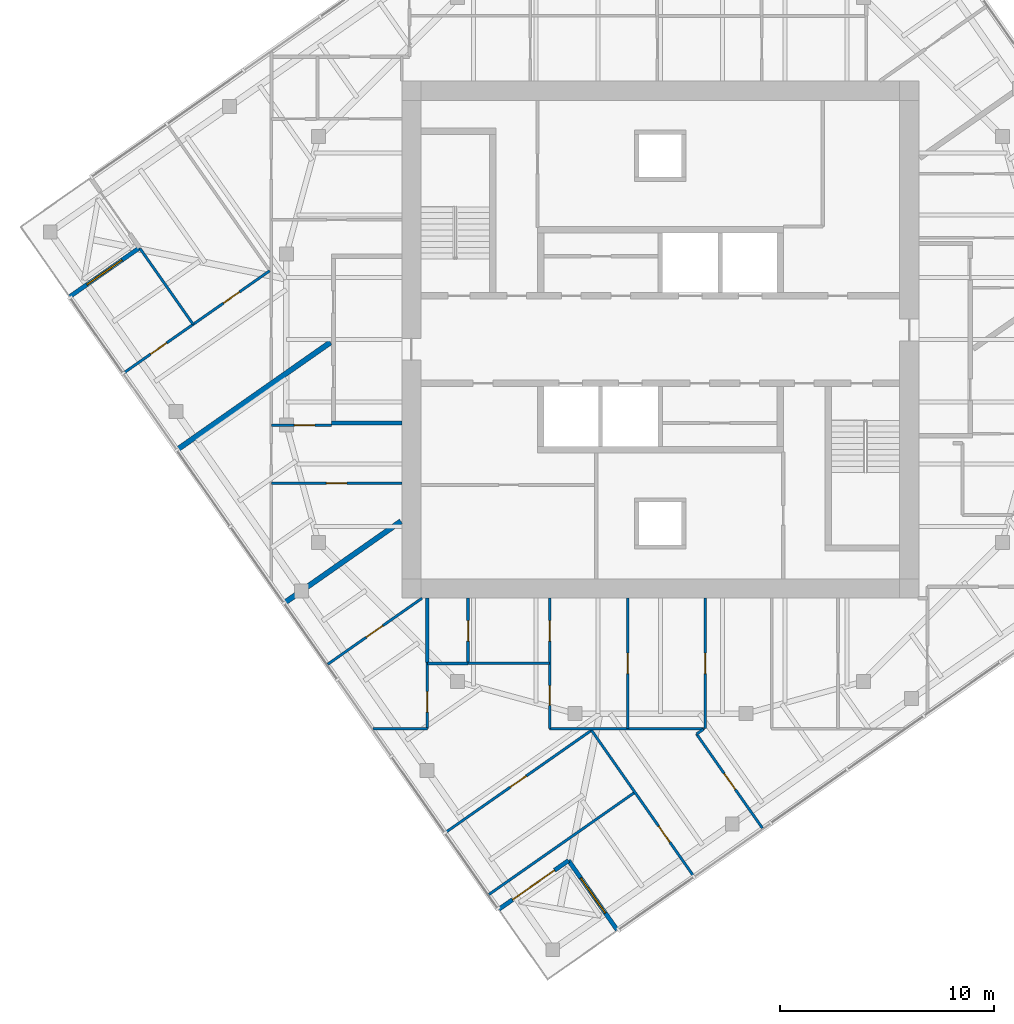
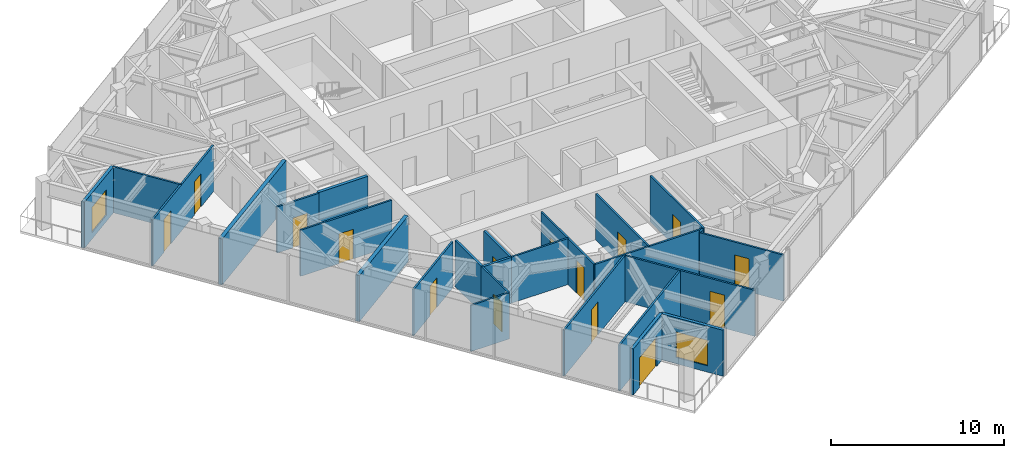
# One storey, part 7 of 13: 26 walls, 15 doors, 2 windows, 17 openings.
"""IFC4 building model written with IfcOpenShell, lengths in metres."""

from ifc_helpers import new_model, si_unit, direction, frame, frame_2d, origin, place, context, subcontext, project, spatial, rectangle, extrude, material, layer, layer_set, type_object, element, fill, save


model = new_model("IFC4")

# Units and contexts
model_context = context("Model", 3, precision=1e-05, world=origin(), true_north=direction((0.0, 1.0)))
body_context = subcontext(model_context, "Body", "Model", "MODEL_VIEW")
ifc_project = project(units=[si_unit("LENGTHUNIT", "METRE"), si_unit("AREAUNIT", "SQUARE_METRE"), si_unit("VOLUMEUNIT", "CUBIC_METRE"), si_unit("PLANEANGLEUNIT", "RADIAN"), si_unit("MASSUNIT", "GRAM", prefix="KILO")], contexts=[model_context])

# Site, building, storey
site_placement = place(None, origin())
site = spatial("IfcSite", under=ifc_project, at=site_placement, CompositionType="ELEMENT")
building_placement = place(site_placement, origin())
building = spatial("IfcBuilding", under=site, at=building_placement, Name="Torsade Residences", CompositionType="ELEMENT")
storey_placement = place(building_placement, frame((0.0, 0.0, 260.800048828125)))
storey = spatial("IfcBuildingStorey", under=building, at=storey_placement, Name="L72", CompositionType="ELEMENT", Elevation=260.800048828125)

# Wall
ifc_material_1 = material(Name="Plasterboard on steel stud", Category="steel")
ifc_layer_1 = layer(ifc_material_1, 0.199951171875)
ifc_layer_set_1 = layer_set([ifc_layer_1], Name="Plasterboard on steel stud")
wall_type_1 = type_object("IfcWallType", Name="CORRIDOR WALL 200", PredefinedType="PARTITIONING", material=ifc_layer_set_1)
wall_1_placement = place(storey_placement, frame((27.89990234375, 26.10009765625, 0.0), z_axis=(0.0, 0.0, 1.0), x_axis=(-1.0, 0.0, 0.0)))
element("IfcWall", 1, at=wall_1_placement, inside=storey, type_object=wall_type_1, Name="Corridor wall L72", PredefinedType="PARTITIONING", context=body_context, shape_type="SweptSolid", body=[
    extrude(rectangle(XDim=3.2998046875, YDim=0.199951171875, at=frame_2d((1.64990234375, 0.0))), origin(), (0.0, 0.0, 1.0), 3.25),
])

# Wall, opening, door
ifc_material_2 = material(Name="Plasterboard on steel stud", Category="steel")
ifc_layer_2 = layer(ifc_material_2, 0.1201171875)
ifc_layer_set_2 = layer_set([ifc_layer_2], Name="Plasterboard on steel stud")
wall_type_2 = type_object("IfcWallType", Name="PARTITION 120", PredefinedType="PARTITIONING", material=ifc_layer_set_2)
wall_2_placement = place(storey_placement, frame((24.60009765625, 26.0, 0.0), z_axis=(0.0, 0.0, 1.0), x_axis=(-1.0, 0.0, 0.0)))
wall_2 = element("IfcWall", 2, at=wall_2_placement, inside=storey, type_object=wall_type_2, Name="Partition L72", PredefinedType="PARTITIONING", context=body_context, shape_type="SweptSolid", body=[
    extrude(rectangle(XDim=2.800048828125, YDim=0.1201171875, at=frame_2d((1.39990234375, 0.0))), origin(), (0.0, 0.0, 1.0), 3.25),
])
opening_1_placement = place(wall_2_placement, frame((0.77001953125, 0.0, 0.0)))
opening_1 = element("IfcOpeningElement", 3, at=opening_1_placement, cuts=wall_2, Name="Opening D05", PredefinedType="OPENING", context=body_context, shape_type="SweptSolid", body=[
    extrude(rectangle(XDim=0.9599609375, YDim=2.10009765625, at=frame_2d((0.47998046875, 1.050048828125))), frame((0.0, 0.070068359375, 0.0), z_axis=(0.0, -1.0, 0.0), x_axis=(1.0, 0.0, 0.0)), (0.0, 0.0, 1.0), 0.14013671875),
])
ifc_material_3 = material(Name="Hollow-core timber door in a steel cavity frame", Category="steel")
door_type_1 = type_object("IfcDoorType", Name="BATHROOM CAVITY SLIDING DOOR 960", OperationType="SLIDING_TO_LEFT", PredefinedType="DOOR", material=ifc_material_3)
door_1_placement = place(opening_1_placement, origin())
door_1 = element("IfcDoor", 4, at=door_1_placement, inside=storey, type_object=door_type_1, Name="Door Kitchen and dining to Bathroom", OperationType="SLIDING_TO_LEFT", OverallHeight=2.10009765625, OverallWidth=0.9599609375, PredefinedType="DOOR", context=body_context, shape_type="SweptSolid", body=[
    extrude(rectangle(XDim=0.9599609375, YDim=2.10009765625, at=frame_2d((0.47998046875, 1.050048828125))), frame((0.0, 0.02490234375, 0.0), z_axis=(0.0, -1.0, 0.0), x_axis=(1.0, 0.0, 0.0)), (0.0, 0.0, 1.0), 0.050048828125),
])
fill(opening_1, door_1)

wall_3_placement = place(storey_placement, frame((27.89990234375, 23.28564453125, 0.0), z_axis=(0.0, 0.0, 1.0), x_axis=(-1.0, 0.0, 0.0)))
wall_3 = element("IfcWall", 5, at=wall_3_placement, inside=storey, type_object=wall_type_2, Name="Partition L72", PredefinedType="PARTITIONING", context=body_context, shape_type="SweptSolid", body=[
    extrude(rectangle(XDim=6.099853515625, YDim=0.1201171875, at=frame_2d((3.0498046875, 0.0))), origin(), (0.0, 0.0, 1.0), 3.25),
])
opening_2_placement = place(wall_3_placement, frame((2.570068359375, 0.0, 0.0)))
opening_2 = element("IfcOpeningElement", 6, at=opening_2_placement, cuts=wall_3, Name="Opening D05", PredefinedType="OPENING", context=body_context, shape_type="SweptSolid", body=[
    extrude(rectangle(XDim=0.9599609375, YDim=2.10009765625, at=frame_2d((0.47998046875, 1.050048828125))), frame((0.0, 0.070068359375, 0.0), z_axis=(0.0, -1.0, 0.0), x_axis=(1.0, 0.0, 0.0)), (0.0, 0.0, 1.0), 0.14013671875),
])
door_2_placement = place(opening_2_placement, origin())
door_2 = element("IfcDoor", 7, at=door_2_placement, inside=storey, type_object=door_type_1, Name="Door Bathroom to Ensuite", OperationType="SLIDING_TO_LEFT", OverallHeight=2.10009765625, OverallWidth=0.9599609375, PredefinedType="DOOR", context=body_context, shape_type="SweptSolid", body=[
    extrude(rectangle(XDim=0.9599609375, YDim=2.10009765625, at=frame_2d((0.47998046875, 1.050048828125))), frame((0.0, 0.02490234375, 0.0), z_axis=(0.0, -1.0, 0.0), x_axis=(1.0, 0.0, 0.0)), (0.0, 0.0, 1.0), 0.050048828125),
])
fill(opening_2, door_2)

wall_4_placement = place(storey_placement, frame((24.43701171875, 14.811767578125, 0.0), z_axis=(0.0, 0.0, 1.0), x_axis=(0.819157353031, 0.573568854608, 0.0)))
wall_4 = element("IfcWall", 8, at=wall_4_placement, inside=storey, type_object=wall_type_2, Name="Partition L72", PredefinedType="PARTITIONING", context=body_context, shape_type="SweptSolid", body=[
    extrude(rectangle(XDim=5.384033203125, YDim=0.1201171875, at=frame_2d((2.69189453125, 0.0))), origin(), (0.0, 0.0, 1.0), 3.25),
])
opening_3_placement = place(wall_4_placement, frame((2.19189453125, 0.0, 0.0)))
opening_3 = element("IfcOpeningElement", 9, at=opening_3_placement, cuts=wall_4, Name="Opening D05", PredefinedType="OPENING", context=body_context, shape_type="SweptSolid", body=[
    extrude(rectangle(XDim=0.9599609375, YDim=2.10009765625, at=frame_2d((0.47998046875, 1.050048828125))), frame((0.0, 0.070068359375, 0.0), z_axis=(0.0, -1.0, 0.0), x_axis=(1.0, 0.0, 0.0)), (0.0, 0.0, 1.0), 0.14013671875),
])
door_3_placement = place(opening_3_placement, origin())
door_3 = element("IfcDoor", 10, at=door_3_placement, inside=storey, type_object=door_type_1, Name="Door Bathroom to Dressing room", OperationType="SLIDING_TO_LEFT", OverallHeight=2.10009765625, OverallWidth=0.9599609375, PredefinedType="DOOR", context=body_context, shape_type="SweptSolid", body=[
    extrude(rectangle(XDim=0.9599609375, YDim=2.10009765625, at=frame_2d((0.47998046875, 1.050048828125))), frame((0.0, 0.02490234375, 0.0), z_axis=(0.0, -1.0, 0.0), x_axis=(1.0, 0.0, 0.0)), (0.0, 0.0, 1.0), 0.050048828125),
])
fill(opening_3, door_3)

wall_5_placement = place(storey_placement, frame((29.093505859375, 14.89990234375, 0.0), z_axis=(0.0, 0.0, 1.0), x_axis=(0.0, -1.0, 0.0)))
wall_5 = element("IfcWall", 11, at=wall_5_placement, inside=storey, type_object=wall_type_2, Name="Partition L72", PredefinedType="PARTITIONING", context=body_context, shape_type="SweptSolid", body=[
    extrude(rectangle(XDim=3.099853515625, YDim=0.1201171875, at=frame_2d((1.5498046875, 0.0))), origin(), (0.0, 0.0, 1.0), 3.25),
])
opening_4_placement = place(wall_5_placement, frame((1.3701171875, 0.0, 0.0)))
opening_4 = element("IfcOpeningElement", 12, at=opening_4_placement, cuts=wall_5, Name="Opening D05", PredefinedType="OPENING", context=body_context, shape_type="SweptSolid", body=[
    extrude(rectangle(XDim=0.9599609375, YDim=2.10009765625, at=frame_2d((0.47998046875, 1.050048828125))), frame((0.0, 0.070068359375, 0.0), z_axis=(0.0, -1.0, 0.0), x_axis=(1.0, 0.0, 0.0)), (0.0, 0.0, 1.0), 0.14013671875),
])
door_4_placement = place(opening_4_placement, origin())
door_4 = element("IfcDoor", 13, at=door_4_placement, inside=storey, type_object=door_type_1, Name="Door Family room to Bathroom", OperationType="SLIDING_TO_LEFT", OverallHeight=2.10009765625, OverallWidth=0.9599609375, PredefinedType="DOOR", context=body_context, shape_type="SweptSolid", body=[
    extrude(rectangle(XDim=0.9599609375, YDim=2.10009765625, at=frame_2d((0.47998046875, 1.050048828125))), frame((0.0, 0.02490234375, 0.0), z_axis=(0.0, -1.0, 0.0), x_axis=(1.0, 0.0, 0.0)), (0.0, 0.0, 1.0), 0.050048828125),
])
fill(opening_4, door_4)

# Wall
wall_6_placement = place(storey_placement, frame((29.093505859375, 11.800048828125, 0.0), z_axis=(0.0, 0.0, 1.0), x_axis=(-1.0, 0.0, 0.0)))
element("IfcWall", 14, at=wall_6_placement, inside=storey, type_object=wall_type_2, Name="Partition L72", PredefinedType="PARTITIONING", context=body_context, shape_type="SweptSolid", body=[
    extrude(rectangle(XDim=2.547607421875, YDim=0.1201171875, at=frame_2d((1.27392578125, 0.0))), origin(), (0.0, 0.0, 1.0), 3.25),
])

# Wall, openings, doors
wall_7_placement = place(storey_placement, frame((34.8193359375, 17.89990234375, 0.0), z_axis=(0.0, 0.0, 1.0), x_axis=(0.0, -1.0, 0.0)))
wall_7 = element("IfcWall", 15, at=wall_7_placement, inside=storey, type_object=wall_type_2, Name="Partition L72", PredefinedType="PARTITIONING", context=body_context, shape_type="SweptSolid", body=[
    extrude(rectangle(XDim=6.099853515625, YDim=0.1201171875, at=frame_2d((3.0498046875, 0.0))), origin(), (0.0, 0.0, 1.0), 3.25),
])
opening_5_placement = place(wall_7_placement, frame((4.090087890625, 0.0, 0.0)))
opening_5 = element("IfcOpeningElement", 16, at=opening_5_placement, cuts=wall_7, Name="Opening D02", PredefinedType="OPENING", context=body_context, shape_type="SweptSolid", body=[
    extrude(rectangle(XDim=0.919921875, YDim=2.340087890625, at=frame_2d((0.4599609375, 1.169921875))), frame((0.0, 0.070068359375, 0.0), z_axis=(0.0, -1.0, 0.0), x_axis=(1.0, 0.0, 0.0)), (0.0, 0.0, 1.0), 0.14013671875),
])
opening_6_placement = place(wall_7_placement, frame((1.044921875, 0.0, 0.0)))
opening_6 = element("IfcOpeningElement", 17, at=opening_6_placement, cuts=wall_7, Name="Opening D05", PredefinedType="OPENING", context=body_context, shape_type="SweptSolid", body=[
    extrude(rectangle(XDim=0.9599609375, YDim=2.10009765625, at=frame_2d((0.47998046875, 1.050048828125))), frame((0.0, 0.070068359375, 0.0), z_axis=(0.0, -1.0, 0.0), x_axis=(1.0, 0.0, 0.0)), (0.0, 0.0, 1.0), 0.14013671875),
])
door_5_placement = place(opening_6_placement, origin())
door_5 = element("IfcDoor", 18, at=door_5_placement, inside=storey, type_object=door_type_1, Name="Door Dressing room 2 to WC", OperationType="SLIDING_TO_LEFT", OverallHeight=2.10009765625, OverallWidth=0.9599609375, PredefinedType="DOOR", context=body_context, shape_type="SweptSolid", body=[
    extrude(rectangle(XDim=0.9599609375, YDim=2.10009765625, at=frame_2d((0.47998046875, 1.050048828125))), frame((0.0, 0.02490234375, 0.0), z_axis=(0.0, -1.0, 0.0), x_axis=(1.0, 0.0, 0.0)), (0.0, 0.0, 1.0), 0.050048828125),
])
fill(opening_6, door_5)
ifc_material_4 = material(Name="Hollow-core timber door", Category="wood")
door_type_2 = type_object("IfcDoorType", Name="INTERNAL DOOR 920x2340", OperationType="NOTDEFINED", PredefinedType="DOOR", material=ifc_material_4)
door_6_placement = place(opening_5_placement, origin())
door_6 = element("IfcDoor", 19, at=door_6_placement, inside=storey, type_object=door_type_2, Name="Door Dressing room 2 to Family room", OperationType="SINGLE_SWING_RIGHT", OverallHeight=2.340087890625, OverallWidth=0.919921875, PredefinedType="DOOR", context=body_context, shape_type="SweptSolid", body=[
    extrude(rectangle(XDim=0.919921875, YDim=2.340087890625, at=frame_2d((0.4599609375, 1.169921875))), frame((0.0, 0.02490234375, 0.0), z_axis=(0.0, -1.0, 0.0), x_axis=(1.0, 0.0, 0.0)), (0.0, 0.0, 1.0), 0.050048828125),
])
fill(opening_5, door_6)

# Wall
wall_8_placement = place(storey_placement, frame((34.8193359375, 14.85009765625, 0.0), z_axis=(0.0, 0.0, 1.0), x_axis=(-1.0, 0.0, 0.0)))
element("IfcWall", 20, at=wall_8_placement, inside=storey, type_object=wall_type_2, Name="Partition L72", PredefinedType="PARTITIONING", context=body_context, shape_type="SweptSolid", body=[
    extrude(rectangle(XDim=3.817138671875, YDim=0.1201171875, at=frame_2d((1.90869140625, 0.0))), origin(), (0.0, 0.0, 1.0), 3.25),
])

# Wall, opening, door
wall_9_placement = place(storey_placement, frame((38.463623046875, 11.800048828125, 0.0), z_axis=(0.0, 0.0, 1.0), x_axis=(0.0, 1.0, 0.0)))
wall_9 = element("IfcWall", 21, at=wall_9_placement, inside=storey, type_object=wall_type_2, Name="Partition L72", PredefinedType="PARTITIONING", context=body_context, shape_type="SweptSolid", body=[
    extrude(rectangle(XDim=6.099853515625, YDim=0.1201171875, at=frame_2d((3.0498046875, 0.0))), origin(), (0.0, 0.0, 1.0), 3.25),
])
opening_7_placement = place(wall_9_placement, frame((2.570068359375, 0.0, 0.0)))
opening_7 = element("IfcOpeningElement", 22, at=opening_7_placement, cuts=wall_9, Name="Opening D05", PredefinedType="OPENING", context=body_context, shape_type="SweptSolid", body=[
    extrude(rectangle(XDim=0.9599609375, YDim=2.10009765625, at=frame_2d((0.47998046875, 1.050048828125))), frame((0.0, 0.070068359375, 0.0), z_axis=(0.0, -1.0, 0.0), x_axis=(1.0, 0.0, 0.0)), (0.0, 0.0, 1.0), 0.14013671875),
])
door_7_placement = place(opening_7_placement, origin())
door_7 = element("IfcDoor", 23, at=door_7_placement, inside=storey, type_object=door_type_1, Name="Door Ensuite to Dressing room 2", OperationType="SLIDING_TO_LEFT", OverallHeight=2.10009765625, OverallWidth=0.9599609375, PredefinedType="DOOR", context=body_context, shape_type="SweptSolid", body=[
    extrude(rectangle(XDim=0.9599609375, YDim=2.10009765625, at=frame_2d((0.47998046875, 1.050048828125))), frame((0.0, 0.02490234375, 0.0), z_axis=(0.0, -1.0, 0.0), x_axis=(1.0, 0.0, 0.0)), (0.0, 0.0, 1.0), 0.050048828125),
])
fill(opening_7, door_7)

# Wall
wall_10_placement = place(storey_placement, frame((42.06201171875, 11.800048828125, 0.0), z_axis=(0.0, 0.0, 1.0), x_axis=(-1.0, 0.0, 0.0)))
element("IfcWall", 24, at=wall_10_placement, inside=storey, type_object=wall_type_2, Name="Partition L72", PredefinedType="PARTITIONING", context=body_context, shape_type="SweptSolid", body=[
    extrude(rectangle(XDim=7.24267578125, YDim=0.1201171875, at=frame_2d((3.621337890625, 0.0))), origin(), (0.0, 0.0, 1.0), 3.25),
])

# Wall, opening, door
wall_11_placement = place(storey_placement, frame((42.107666015625, 17.89990234375, 0.0), z_axis=(0.0, 0.0, 1.0), x_axis=(0.0, -1.0, 0.0)))
wall_11 = element("IfcWall", 25, at=wall_11_placement, inside=storey, type_object=wall_type_2, Name="Partition L72", PredefinedType="PARTITIONING", context=body_context, shape_type="SweptSolid", body=[
    extrude(rectangle(XDim=6.099853515625, YDim=0.1201171875, at=frame_2d((3.0498046875, 0.0))), origin(), (0.0, 0.0, 1.0), 3.25),
])
opening_8_placement = place(wall_11_placement, frame((2.570068359375, 0.0, 0.0)))
opening_8 = element("IfcOpeningElement", 26, at=opening_8_placement, cuts=wall_11, Name="Opening D05", PredefinedType="OPENING", context=body_context, shape_type="SweptSolid", body=[
    extrude(rectangle(XDim=0.9599609375, YDim=2.10009765625, at=frame_2d((0.47998046875, 1.050048828125))), frame((0.0, 0.070068359375, 0.0), z_axis=(0.0, -1.0, 0.0), x_axis=(1.0, 0.0, 0.0)), (0.0, 0.0, 1.0), 0.14013671875),
])
door_8_placement = place(opening_8_placement, origin())
door_8 = element("IfcDoor", 27, at=door_8_placement, inside=storey, type_object=door_type_1, Name="Door Media room to Ensuite", OperationType="SLIDING_TO_LEFT", OverallHeight=2.10009765625, OverallWidth=0.9599609375, PredefinedType="DOOR", context=body_context, shape_type="SweptSolid", body=[
    extrude(rectangle(XDim=0.9599609375, YDim=2.10009765625, at=frame_2d((0.47998046875, 1.050048828125))), frame((0.0, 0.02490234375, 0.0), z_axis=(0.0, -1.0, 0.0), x_axis=(1.0, 0.0, 0.0)), (0.0, 0.0, 1.0), 0.050048828125),
])
fill(opening_8, door_8)

wall_12_placement = place(storey_placement, frame((41.5576171875, 4.892822265625, 0.0), z_axis=(0.0, 0.0, 1.0), x_axis=(-0.573576357466, 0.819152099525, 0.0)))
wall_12 = element("IfcWall", 28, at=wall_12_placement, inside=storey, type_object=wall_type_2, Name="Partition L72", PredefinedType="PARTITIONING", context=body_context, shape_type="SweptSolid", body=[
    extrude(rectangle(XDim=8.3349609375, YDim=0.1201171875, at=frame_2d((4.16748046875, 0.0))), origin(), (0.0, 0.0, 1.0), 3.25),
])
opening_9_placement = place(wall_12_placement, frame((1.94189453125, 0.0, 0.0)))
opening_9 = element("IfcOpeningElement", 29, at=opening_9_placement, cuts=wall_12, Name="Opening D02", PredefinedType="OPENING", context=body_context, shape_type="SweptSolid", body=[
    extrude(rectangle(XDim=0.919921875, YDim=2.340087890625, at=frame_2d((0.4599609375, 1.169921875))), frame((0.0, 0.070068359375, 0.0), z_axis=(0.0, -1.0, 0.0), x_axis=(1.0, 0.0, 0.0)), (0.0, 0.0, 1.0), 0.14013671875),
])
door_9_placement = place(opening_9_placement, origin())
door_9 = element("IfcDoor", 30, at=door_9_placement, inside=storey, type_object=door_type_2, Name="Door Bedroom 1 to Study 2", OperationType="SINGLE_SWING_RIGHT", OverallHeight=2.340087890625, OverallWidth=0.919921875, PredefinedType="DOOR", context=body_context, shape_type="SweptSolid", body=[
    extrude(rectangle(XDim=0.919921875, YDim=2.340087890625, at=frame_2d((0.4599609375, 1.169921875))), frame((0.0, 0.02490234375, 0.0), z_axis=(0.0, -1.0, 0.0), x_axis=(1.0, 0.0, 0.0)), (0.0, 0.0, 1.0), 0.050048828125),
])
fill(opening_9, door_9)

# Wall
wall_13_placement = place(storey_placement, frame((42.011962890625, 11.764892578125, 0.0), z_axis=(0.0, 0.0, 1.0), x_axis=(-0.819379381292, -0.573251628444, 0.0)))
element("IfcWall", 31, at=wall_13_placement, inside=storey, type_object=wall_type_2, Name="Partition L72", PredefinedType="PARTITIONING", context=body_context, shape_type="SweptSolid", body=[
    extrude(rectangle(XDim=0.388916015625, YDim=0.1201171875, at=frame_2d((0.1943359375, 0.0))), origin(), (0.0, 0.0, 1.0), 3.25),
])

# Wall, opening, door
wall_14_placement = place(storey_placement, frame((41.693359375, 11.5419921875, 0.0), z_axis=(0.0, 0.0, 1.0), x_axis=(0.573560001964, -0.819163551525, 0.0)))
wall_14 = element("IfcWall", 32, at=wall_14_placement, inside=storey, type_object=wall_type_2, Name="Partition L72", PredefinedType="PARTITIONING", context=body_context, shape_type="SweptSolid", body=[
    extrude(rectangle(XDim=5.368896484375, YDim=0.1201171875, at=frame_2d((2.6845703125, 0.0))), origin(), (0.0, 0.0, 1.0), 3.25),
])
opening_10_placement = place(wall_14_placement, frame((2.244384765625, 0.0, 0.0)))
opening_10 = element("IfcOpeningElement", 33, at=opening_10_placement, cuts=wall_14, Name="Opening D02", PredefinedType="OPENING", context=body_context, shape_type="SweptSolid", body=[
    extrude(rectangle(XDim=0.919921875, YDim=2.340087890625, at=frame_2d((0.4599609375, 1.169921875))), frame((0.0, 0.070068359375, 0.0), z_axis=(0.0, -1.0, 0.0), x_axis=(1.0, 0.0, 0.0)), (0.0, 0.0, 1.0), 0.14013671875),
])
door_10_placement = place(opening_10_placement, origin())
door_10 = element("IfcDoor", 34, at=door_10_placement, inside=storey, type_object=door_type_2, Name="Door Media room to Bedroom 1", OperationType="SINGLE_SWING_LEFT", OverallHeight=2.340087890625, OverallWidth=0.919921875, PredefinedType="DOOR", context=body_context, shape_type="SweptSolid", body=[
    extrude(rectangle(XDim=0.919921875, YDim=2.340087890625, at=frame_2d((0.4599609375, 1.169921875))), frame((0.0, 0.02490234375, 0.0), z_axis=(0.0, -1.0, 0.0), x_axis=(1.0, 0.0, 0.0)), (0.0, 0.0, 1.0), 0.050048828125),
])
fill(opening_10, door_10)

# Wall
wall_15_placement = place(storey_placement, frame((38.807861328125, 8.81982421875, 0.0), z_axis=(0.0, 0.0, 1.0), x_axis=(-0.819152099525, -0.573576357466, 0.0)))
element("IfcWall", 35, at=wall_15_placement, inside=storey, type_object=wall_type_2, Name="Partition L72", PredefinedType="PARTITIONING", context=body_context, shape_type="SweptSolid", body=[
    extrude(rectangle(XDim=8.3349609375, YDim=0.1201171875, at=frame_2d((4.16748046875, 0.0))), origin(), (0.0, 0.0, 1.0), 3.25),
])

# Wall, opening, door
wall_16_placement = place(storey_placement, frame((29.94921875, 6.939697265625, 0.0), z_axis=(0.0, 0.0, 1.0), x_axis=(0.819152099525, 0.573576357466, 0.0)))
wall_16 = element("IfcWall", 36, at=wall_16_placement, inside=storey, type_object=wall_type_2, Name="Partition L72", PredefinedType="PARTITIONING", context=body_context, shape_type="SweptSolid", body=[
    extrude(rectangle(XDim=8.3349609375, YDim=0.1201171875, at=frame_2d((4.16748046875, 0.0))), origin(), (0.0, 0.0, 1.0), 3.25),
])
opening_11_placement = place(wall_16_placement, frame((3.6875, 0.0, 0.0)))
opening_11 = element("IfcOpeningElement", 37, at=opening_11_placement, cuts=wall_16, Name="Opening D02", PredefinedType="OPENING", context=body_context, shape_type="SweptSolid", body=[
    extrude(rectangle(XDim=0.919921875, YDim=2.340087890625, at=frame_2d((0.4599609375, 1.169921875))), frame((0.0, 0.070068359375, 0.0), z_axis=(0.0, -1.0, 0.0), x_axis=(1.0, 0.0, 0.0)), (0.0, 0.0, 1.0), 0.14013671875),
])
door_11_placement = place(opening_11_placement, origin())
door_11 = element("IfcDoor", 38, at=door_11_placement, inside=storey, type_object=door_type_2, Name="Door Family room to Bedroom 2", OperationType="SINGLE_SWING_RIGHT", OverallHeight=2.340087890625, OverallWidth=0.919921875, PredefinedType="DOOR", context=body_context, shape_type="SweptSolid", body=[
    extrude(rectangle(XDim=0.919921875, YDim=2.340087890625, at=frame_2d((0.4599609375, 1.169921875))), frame((0.0, 0.02490234375, 0.0), z_axis=(0.0, -1.0, 0.0), x_axis=(1.0, 0.0, 0.0)), (0.0, 0.0, 1.0), 0.050048828125),
])
fill(opening_11, door_11)

# Wall, openings, doors
wall_17_placement = place(storey_placement, frame((21.720458984375, 33.22314453125, 0.0), z_axis=(0.0, 0.0, 1.0), x_axis=(-0.819152099525, -0.573576357466, 0.0)))
wall_17 = element("IfcWall", 39, at=wall_17_placement, inside=storey, type_object=wall_type_2, Name="Partition L72", PredefinedType="PARTITIONING", context=body_context, shape_type="SweptSolid", body=[
    extrude(rectangle(XDim=8.3349609375, YDim=0.1201171875, at=frame_2d((4.16748046875, 0.0))), origin(), (0.0, 0.0, 1.0), 3.25),
])
opening_12_placement = place(wall_17_placement, frame((1.7275390625, 0.0, 0.0)))
opening_12 = element("IfcOpeningElement", 40, at=opening_12_placement, cuts=wall_17, Name="Opening D02", PredefinedType="OPENING", context=body_context, shape_type="SweptSolid", body=[
    extrude(rectangle(XDim=0.919921875, YDim=2.340087890625, at=frame_2d((0.4599609375, 1.169921875))), frame((0.0, 0.070068359375, 0.0), z_axis=(0.0, -1.0, 0.0), x_axis=(1.0, 0.0, 0.0)), (0.0, 0.0, 1.0), 0.14013671875),
])
opening_13_placement = place(wall_17_placement, frame((5.889892578125, 0.0, 0.0)))
opening_13 = element("IfcOpeningElement", 41, at=opening_13_placement, cuts=wall_17, Name="Opening D02", PredefinedType="OPENING", context=body_context, shape_type="SweptSolid", body=[
    extrude(rectangle(XDim=0.919921875, YDim=2.340087890625, at=frame_2d((0.4599609375, 1.169921875))), frame((0.0, 0.070068359375, 0.0), z_axis=(0.0, -1.0, 0.0), x_axis=(1.0, 0.0, 0.0)), (0.0, 0.0, 1.0), 0.14013671875),
])
door_12_placement = place(opening_12_placement, origin())
door_12 = element("IfcDoor", 42, at=door_12_placement, inside=storey, type_object=door_type_2, Name="Door Bedroom 2 to Bedroom 1", OperationType="SINGLE_SWING_LEFT", OverallHeight=2.340087890625, OverallWidth=0.919921875, PredefinedType="DOOR", context=body_context, shape_type="SweptSolid", body=[
    extrude(rectangle(XDim=0.919921875, YDim=2.340087890625, at=frame_2d((0.4599609375, 1.169921875))), frame((0.0, 0.02490234375, 0.0), z_axis=(0.0, -1.0, 0.0), x_axis=(1.0, 0.0, 0.0)), (0.0, 0.0, 1.0), 0.050048828125),
])
fill(opening_12, door_12)
door_13_placement = place(opening_13_placement, origin())
door_13 = element("IfcDoor", 43, at=door_13_placement, inside=storey, type_object=door_type_2, Name="Door Bedroom 2 to Media room", OperationType="SINGLE_SWING_RIGHT", OverallHeight=2.340087890625, OverallWidth=0.919921875, PredefinedType="DOOR", context=body_context, shape_type="SweptSolid", body=[
    extrude(rectangle(XDim=0.919921875, YDim=2.340087890625, at=frame_2d((0.4599609375, 1.169921875))), frame((0.0, 0.02490234375, 0.0), z_axis=(0.0, -1.0, 0.0), x_axis=(1.0, 0.0, 0.0)), (0.0, 0.0, 1.0), 0.050048828125),
])
fill(opening_13, door_13)

# Walls
wall_18_placement = place(storey_placement, frame((18.13671875, 30.7138671875, 0.0), z_axis=(0.0, 0.0, 1.0), x_axis=(-0.573594626521, 0.819139307094, 0.0)))
element("IfcWall", 44, at=wall_18_placement, inside=storey, type_object=wall_type_2, Name="Partition L72", PredefinedType="PARTITIONING", context=body_context, shape_type="SweptSolid", body=[
    extrude(rectangle(XDim=4.3349609375, YDim=0.1201171875, at=frame_2d((2.16748046875, 0.0))), origin(), (0.0, 0.0, 1.0), 3.25),
])
ifc_material_5 = material(Name="Masonry-lined stud party wall", Category="masonry")
ifc_layer_3 = layer(ifc_material_5, 0.25)
ifc_layer_set_3 = layer_set([ifc_layer_3], Name="Masonry-lined stud party wall")
wall_type_3 = type_object("IfcWallType", Name="PARTY WALL 250", PredefinedType="PARTITIONING", material=ifc_layer_set_3)
wall_19_placement = place(storey_placement, frame((22.38818359375, 17.668212890625, 0.0), z_axis=(0.0, 0.0, 1.0), x_axis=(0.819161528122, 0.573562891796, 0.0)))
element("IfcWall", 45, at=wall_19_placement, inside=storey, type_object=wall_type_3, Name="Party wall L72", PredefinedType="PARTITIONING", context=body_context, shape_type="SweptSolid", body=[
    extrude(rectangle(XDim=6.68115234375, YDim=0.25, at=frame_2d((3.340576171875, 0.0))), origin(), (0.0, 0.0, 1.0), 3.25),
])
wall_20_placement = place(storey_placement, frame((17.369384765625, 24.835693359375, 0.0), z_axis=(0.0, 0.0, 1.0), x_axis=(0.819152220062, 0.573576185321, 0.0)))
element("IfcWall", 46, at=wall_20_placement, inside=storey, type_object=wall_type_3, Name="Party wall L72", PredefinedType="PARTITIONING", context=body_context, shape_type="SweptSolid", body=[
    extrude(rectangle(XDim=8.779296875, YDim=0.25, at=frame_2d((4.3896484375, 0.0))), origin(), (0.0, 0.0, 1.0), 3.25),
])
ifc_material_6 = material(Name="Reinforced blockwork", Category="masonry")
ifc_layer_4 = layer(ifc_material_6, 0.14990234375)
ifc_layer_set_4 = layer_set([ifc_layer_4], Name="Reinforced blockwork")
wall_type_4 = type_object("IfcWallType", Name="SERVICE ROOM WALL 150", PredefinedType="SOLIDWALL", material=ifc_layer_set_4)
wall_21_placement = place(storey_placement, frame((29.093505859375, 17.89990234375, 0.0), z_axis=(0.0, 0.0, 1.0), x_axis=(0.0, -1.0, 0.0)))
element("IfcWall", 47, at=wall_21_placement, inside=storey, type_object=wall_type_4, Name="Service room wall L72", PredefinedType="SOLIDWALL", context=body_context, shape_type="SweptSolid", body=[
    extrude(rectangle(XDim=3.0, YDim=0.14990234375, at=frame_2d((1.5, 0.0))), origin(), (0.0, 0.0, 1.0), 3.25),
])

# Wall, opening, door
wall_22_placement = place(storey_placement, frame((31.002197265625, 14.85009765625, 0.0), z_axis=(0.0, 0.0, 1.0), x_axis=(0.0, 1.0, 0.0)))
wall_22 = element("IfcWall", 48, at=wall_22_placement, inside=storey, type_object=wall_type_4, Name="Service room wall L72", PredefinedType="SOLIDWALL", context=body_context, shape_type="SweptSolid", body=[
    extrude(rectangle(XDim=3.0498046875, YDim=0.14990234375, at=frame_2d((1.52490234375, 0.0))), origin(), (0.0, 0.0, 1.0), 3.25),
])
opening_14_placement = place(wall_22_placement, frame((1.044921875, 0.0, 0.0)))
opening_14 = element("IfcOpeningElement", 49, at=opening_14_placement, cuts=wall_22, Name="Opening D05", PredefinedType="OPENING", context=body_context, shape_type="SweptSolid", body=[
    extrude(rectangle(XDim=0.9599609375, YDim=2.10009765625, at=frame_2d((0.47998046875, 1.050048828125))), frame((0.0, 0.0849609375, 0.0), z_axis=(0.0, -1.0, 0.0), x_axis=(1.0, 0.0, 0.0)), (0.0, 0.0, 1.0), 0.169921875),
])
door_14_placement = place(opening_14_placement, origin())
door_14 = element("IfcDoor", 50, at=door_14_placement, inside=storey, type_object=door_type_1, Name="Door WC to Linen store", OperationType="SLIDING_TO_LEFT", OverallHeight=2.10009765625, OverallWidth=0.9599609375, PredefinedType="DOOR", context=body_context, shape_type="SweptSolid", body=[
    extrude(rectangle(XDim=0.9599609375, YDim=2.10009765625, at=frame_2d((0.47998046875, 1.050048828125))), frame((0.0, 0.02490234375, 0.0), z_axis=(0.0, -1.0, 0.0), x_axis=(1.0, 0.0, 0.0)), (0.0, 0.0, 1.0), 0.050048828125),
])
fill(opening_14, door_14)

# Wall
wall_23_placement = place(storey_placement, frame((29.093505859375, 14.85009765625, 0.0), z_axis=(0.0, 0.0, 1.0), x_axis=(1.0, 0.0, 0.0)))
element("IfcWall", 51, at=wall_23_placement, inside=storey, type_object=wall_type_4, Name="Service room wall L72", PredefinedType="SOLIDWALL", context=body_context, shape_type="SweptSolid", body=[
    extrude(rectangle(XDim=1.90869140625, YDim=0.14990234375, at=frame_2d((0.954345703125, 0.0))), origin(), (0.0, 0.0, 1.0), 3.25),
])

# Wall, opening, window
ifc_material_7 = material(Name="Stone-faced precast concrete 40 MPa panel", Category="masonry")
ifc_layer_5 = layer(ifc_material_7, 0.199951171875)
ifc_layer_set_5 = layer_set([ifc_layer_5], Name="Stone-faced precast concrete 40 MPa panel")
wall_type_5 = type_object("IfcWallType", Name="TERRACE WALL 200", PredefinedType="SOLIDWALL", material=ifc_layer_set_5)
wall_24_placement = place(storey_placement, frame((15.627197265625, 34.297607421875, 0.0), z_axis=(0.0, 0.0, 1.0), x_axis=(-0.819137286189, -0.573597512525, 0.0)))
wall_24 = element("IfcWall", 52, at=wall_24_placement, inside=storey, type_object=wall_type_5, Name="Terrace wall L72 9", PredefinedType="SOLIDWALL", context=body_context, shape_type="SweptSolid", body=[
    extrude(rectangle(XDim=4.0, YDim=0.199951171875, at=frame_2d((2.0, 0.0))), origin(), (0.0, 0.0, 1.0), 3.25),
])
opening_15_placement = place(wall_24_placement, frame((1.0, 0.0, 0.449951171875)))
opening_15 = element("IfcOpeningElement", 53, at=opening_15_placement, cuts=wall_24, Name="Opening W1B", PredefinedType="OPENING", context=body_context, shape_type="SweptSolid", body=[
    extrude(rectangle(XDim=2.0, YDim=1.800048828125, at=frame_2d((1.0, 0.89990234375))), frame((0.0, 0.10986328125, 0.0), z_axis=(0.0, -1.0, 0.0), x_axis=(1.0, 0.0, 0.0)), (0.0, 0.0, 1.0), 0.219970703125),
])
ifc_material_8 = material(Name="Aluminium-framed glass window", Category="aluminium")
window_type = type_object("IfcWindowType", Name="TERRACE WINDOW 2000x1800", PartitioningType="SINGLE_PANEL", PredefinedType="WINDOW", material=ifc_material_8)
window_1_placement = place(opening_15_placement, origin())
window_1 = element("IfcWindow", 54, at=window_1_placement, inside=storey, type_object=window_type, Name="Terrace window L72 9", OverallHeight=1.800048828125, OverallWidth=2.0, PartitioningType="SINGLE_PANEL", PredefinedType="WINDOW", context=body_context, shape_type="SweptSolid", body=[
    extrude(rectangle(XDim=2.0, YDim=1.800048828125, at=frame_2d((1.0, 0.89990234375))), frame((0.0, 0.030029296875, 0.0), z_axis=(0.0, -1.0, 0.0), x_axis=(1.0, 0.0, 0.0)), (0.0, 0.0, 1.0), 0.06005859375),
])
fill(opening_15, window_1)

# Wall, opening, door
wall_25_placement = place(storey_placement, frame((32.42578125, 3.3330078125, 0.0), z_axis=(0.0, 0.0, 1.0), x_axis=(0.819165963305, 0.573556557423, 0.0)))
wall_25 = element("IfcWall", 55, at=wall_25_placement, inside=storey, type_object=wall_type_5, Name="Terrace wall L72 11", PredefinedType="SOLIDWALL", context=body_context, shape_type="SweptSolid", body=[
    extrude(rectangle(XDim=4.0, YDim=0.199951171875, at=frame_2d((2.0, 0.0))), origin(), (0.0, 0.0, 1.0), 3.25),
])
opening_16_placement = place(wall_25_placement, frame((0.800048828125, 0.0, 0.0)))
opening_16 = element("IfcOpeningElement", 56, at=opening_16_placement, cuts=wall_25, Name="Opening D10A", PredefinedType="OPENING", context=body_context, shape_type="SweptSolid", body=[
    extrude(rectangle(XDim=2.39990234375, YDim=2.10009765625, at=frame_2d((1.199951171875, 1.050048828125))), frame((0.0, 0.10986328125, 0.0), z_axis=(0.0, -1.0, 0.0), x_axis=(1.0, 0.0, 0.0)), (0.0, 0.0, 1.0), 0.219970703125),
])
ifc_material_9 = material(Name="Aluminium-framed glass door", Category="aluminium")
door_type_3 = type_object("IfcDoorType", Name="TERRACE SLIDING DOOR 2400x2100", OperationType="SLIDING_TO_LEFT", PredefinedType="DOOR", material=ifc_material_9)
door_15_placement = place(opening_16_placement, origin())
door_15 = element("IfcDoor", 57, at=door_15_placement, inside=storey, type_object=door_type_3, Name="Terrace door L72 11", OperationType="SLIDING_TO_LEFT", OverallHeight=2.10009765625, OverallWidth=2.39990234375, PredefinedType="DOOR", context=body_context, shape_type="SweptSolid", body=[
    extrude(rectangle(XDim=2.39990234375, YDim=2.10009765625, at=frame_2d((1.199951171875, 1.050048828125))), frame((0.0, 0.02490234375, 0.0), z_axis=(0.0, -1.0, 0.0), x_axis=(1.0, 0.0, 0.0)), (0.0, 0.0, 1.0), 0.050048828125),
])
fill(opening_16, door_15)

# Wall, opening, window
wall_26_placement = place(storey_placement, frame((35.702392578125, 5.627197265625, 0.0), z_axis=(0.0, 0.0, 1.0), x_axis=(0.573597512525, -0.819137286189, 0.0)))
wall_26 = element("IfcWall", 58, at=wall_26_placement, inside=storey, type_object=wall_type_5, Name="Terrace wall L72 12", PredefinedType="SOLIDWALL", context=body_context, shape_type="SweptSolid", body=[
    extrude(rectangle(XDim=4.0, YDim=0.199951171875, at=frame_2d((2.0, 0.0))), origin(), (0.0, 0.0, 1.0), 3.25),
])
opening_17_placement = place(wall_26_placement, frame((1.0, 0.0, 0.449951171875)))
opening_17 = element("IfcOpeningElement", 59, at=opening_17_placement, cuts=wall_26, Name="Opening W1B", PredefinedType="OPENING", context=body_context, shape_type="SweptSolid", body=[
    extrude(rectangle(XDim=2.0, YDim=1.800048828125, at=frame_2d((1.0, 0.89990234375))), frame((0.0, 0.10986328125, 0.0), z_axis=(0.0, -1.0, 0.0), x_axis=(1.0, 0.0, 0.0)), (0.0, 0.0, 1.0), 0.219970703125),
])
window_2_placement = place(opening_17_placement, origin())
window_2 = element("IfcWindow", 60, at=window_2_placement, inside=storey, type_object=window_type, Name="Terrace window L72 12", OverallHeight=1.800048828125, OverallWidth=2.0, PartitioningType="SINGLE_PANEL", PredefinedType="WINDOW", context=body_context, shape_type="SweptSolid", body=[
    extrude(rectangle(XDim=2.0, YDim=1.800048828125, at=frame_2d((1.0, 0.89990234375))), frame((0.0, 0.030029296875, 0.0), z_axis=(0.0, -1.0, 0.0), x_axis=(1.0, 0.0, 0.0)), (0.0, 0.0, 1.0), 0.06005859375),
])
fill(opening_17, window_2)

save(model, "model.ifc")
